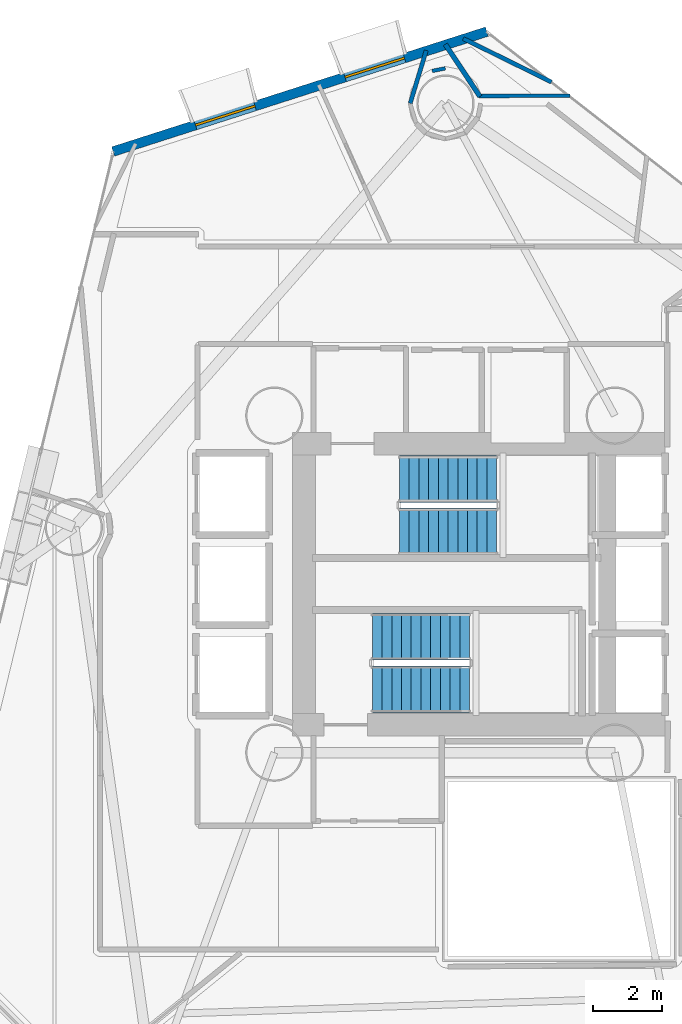
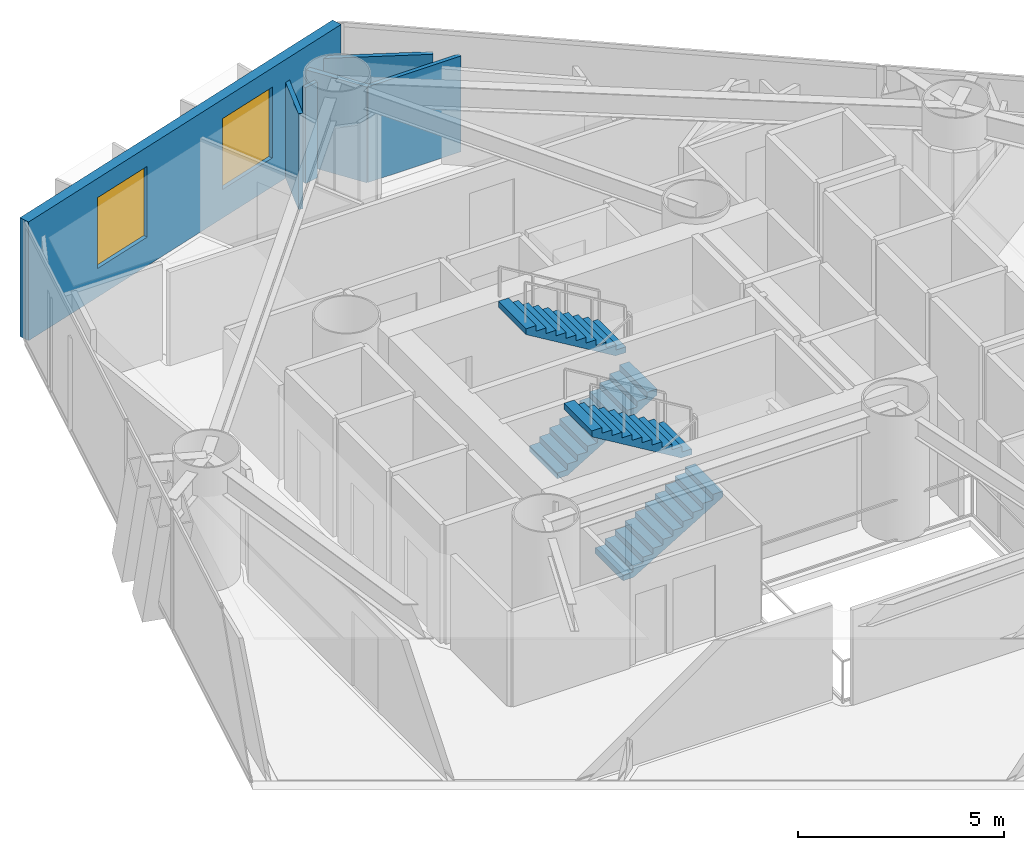
# One storey, part 19 of 23: 6 walls, 4 stair flights, 2 windows, 2 openings, 2 elements without a shape of their own.
"""IFC4 building model written with IfcOpenShell, lengths in metres."""

from ifc_helpers import new_model, si_unit, direction, frame, frame_2d, origin, place, context, subcontext, project, spatial, polyline, rectangle, outline, extrude, material, layer, layer_set, type_object, element, fill, aggregate, save


model = new_model("IFC4")

# Units and contexts
model_context = context("Model", 3, precision=1e-05, world=origin(), true_north=direction((0.0, 1.0)))
body_context = subcontext(model_context, "Body", "Model", "MODEL_VIEW")
ifc_project = project(units=[si_unit("LENGTHUNIT", "METRE"), si_unit("AREAUNIT", "SQUARE_METRE"), si_unit("VOLUMEUNIT", "CUBIC_METRE"), si_unit("PLANEANGLEUNIT", "RADIAN"), si_unit("MASSUNIT", "GRAM", prefix="KILO")], contexts=[model_context])

# Site, building, storey
site_placement = place(None, origin())
site = spatial("IfcSite", under=ifc_project, at=site_placement, CompositionType="ELEMENT")
building_placement = place(site_placement, origin())
building = spatial("IfcBuilding", under=site, at=building_placement, Name="Qianvela Tower", CompositionType="ELEMENT")
storey_placement = place(building_placement, frame((0.0, 0.0, 85.800048828125)))
storey = spatial("IfcBuildingStorey", under=building, at=storey_placement, Name="L21", CompositionType="ELEMENT", Elevation=85.800048828125)

# Wall, openings, windows
ifc_material_1 = material(Name="Terracotta Cladding on Concrete C40", Category="masonry")
ifc_layer_1 = layer(ifc_material_1, 0.280029296875)
ifc_layer_set_1 = layer_set([ifc_layer_1], Name="Terracotta Cladding on Concrete C40")
wall_type_1 = type_object("IfcWallType", Name="TERRACOTTA-WALL-280", PredefinedType="SOLIDWALL", material=ifc_layer_set_1)
wall_1_placement = place(storey_placement, frame((34.716064453125, 44.6015625, 0.0), z_axis=(0.0, 0.0, 1.0), x_axis=(-0.952201794682, -0.305469707507, 0.0)))
wall_1 = element("IfcWall", 1, at=wall_1_placement, inside=storey, type_object=wall_type_1, Name="L21 Terracotta Chamfer Facet Wall 3", PredefinedType="SOLIDWALL", context=body_context, shape_type="SweptSolid", body=[
    extrude(rectangle(XDim=11.29541015625, YDim=0.280029296875, at=frame_2d((5.647705078125, 0.0))), origin(), (0.0, 0.0, 1.0), 3.52001953125),
])
opening_1_placement = place(wall_1_placement, frame((2.48876953125, 0.0, 0.85009765625)))
opening_1 = element("IfcOpeningElement", 2, at=opening_1_placement, cuts=wall_1, Name="Opening W-01", PredefinedType="OPENING", context=body_context, shape_type="SweptSolid", body=[
    extrude(rectangle(XDim=1.800048828125, YDim=2.10009765625, at=frame_2d((0.89990234375, 1.050048828125))), frame((0.0, 0.14990234375, 0.0), z_axis=(0.0, -1.0, 0.0), x_axis=(1.0, 0.0, 0.0)), (0.0, 0.0, 1.0), 0.300048828125),
])
opening_2_placement = place(wall_1_placement, frame((7.0068359375, 0.0, 0.85009765625)))
opening_2 = element("IfcOpeningElement", 3, at=opening_2_placement, cuts=wall_1, Name="Opening W-01", PredefinedType="OPENING", context=body_context, shape_type="SweptSolid", body=[
    extrude(rectangle(XDim=1.800048828125, YDim=2.10009765625, at=frame_2d((0.89990234375, 1.050048828125))), frame((0.0, 0.14990234375, 0.0), z_axis=(0.0, -1.0, 0.0), x_axis=(1.0, 0.0, 0.0)), (0.0, 0.0, 1.0), 0.300048828125),
])
ifc_material_2 = material(Name="Thermally Broken Aluminium and Low-E Glass", Category="aluminium")
window_type = type_object("IfcWindowType", Name="WIN-TC-1800x2100", PartitioningType="DOUBLE_PANEL_VERTICAL", PredefinedType="WINDOW", material=ifc_material_2)
window_1_placement = place(opening_1_placement, origin())
window_1 = element("IfcWindow", 4, at=window_1_placement, inside=storey, type_object=window_type, Name="L21 Chamfer Facet Window 3.1", OverallHeight=2.10009765625, OverallWidth=1.800048828125, PartitioningType="SINGLE_PANEL", PredefinedType="WINDOW", context=body_context, shape_type="SweptSolid", body=[
    extrude(rectangle(XDim=1.800048828125, YDim=2.10009765625, at=frame_2d((0.89990234375, 1.050048828125))), frame((0.0, 0.030029296875, 0.0), z_axis=(0.0, -1.0, 0.0), x_axis=(1.0, 0.0, 0.0)), (0.0, 0.0, 1.0), 0.06005859375),
])
fill(opening_1, window_1)
window_2_placement = place(opening_2_placement, origin())
window_2 = element("IfcWindow", 5, at=window_2_placement, inside=storey, type_object=window_type, Name="L21 Chamfer Facet Window 3.2", OverallHeight=2.10009765625, OverallWidth=1.800048828125, PartitioningType="SINGLE_PANEL", PredefinedType="WINDOW", context=body_context, shape_type="SweptSolid", body=[
    extrude(rectangle(XDim=1.800048828125, YDim=2.10009765625, at=frame_2d((0.89990234375, 1.050048828125))), frame((0.0, 0.030029296875, 0.0), z_axis=(0.0, -1.0, 0.0), x_axis=(1.0, 0.0, 0.0)), (0.0, 0.0, 1.0), 0.06005859375),
])
fill(opening_2, window_2)

# Walls
ifc_material_3 = material(Name="Lightweight Gypsum Room Partition")
ifc_layer_2 = layer(ifc_material_3, 0.10498046875)
ifc_layer_set_2 = layer_set([ifc_layer_2], Name="Lightweight Gypsum Room Partition")
wall_type_2 = type_object("IfcWallType", Name="WT-PART-105", PredefinedType="PARTITIONING", material=ifc_layer_set_2)
wall_2_placement = place(storey_placement, frame((37.103515625, 42.755126953125, 0.0), z_axis=(0.0, 0.0, 1.0), x_axis=(-0.999996813354, -0.002524536135, 0.0)))
element("IfcWall", 6, at=wall_2_placement, inside=storey, type_object=wall_type_2, Name="L21 Partition 97", PredefinedType="PARTITIONING", context=body_context, shape_type="SweptSolid", body=[
    extrude(rectangle(XDim=2.611083984375, YDim=0.10498046875, at=frame_2d((1.3056640625, 0.0))), origin(), (0.0, 0.0, 1.0), 2.83984375),
])
wall_3_placement = place(storey_placement, frame((33.52001953125, 43.54443359375, 0.0), z_axis=(0.0, 0.0, 1.0), x_axis=(-0.980799947725, -0.195016569917, 0.0)))
element("IfcWall", 7, at=wall_3_placement, inside=storey, type_object=wall_type_2, Name="L21 Partition 100", PredefinedType="PARTITIONING", context=body_context, shape_type="SweptSolid", body=[
    extrude(rectangle(XDim=0.38427734375, YDim=0.10498046875, at=frame_2d((0.192138671875, 0.0))), origin(), (0.0, 0.0, 1.0), 2.83984375),
])
ifc_material_4 = material(Name="Insulated Gypsum Stud Partition")
ifc_layer_3 = layer(ifc_material_4, 0.1201171875)
ifc_layer_set_3 = layer_set([ifc_layer_3], Name="Insulated Gypsum Stud Partition")
wall_type_3 = type_object("IfcWallType", Name="WT-PART-120", PredefinedType="PARTITIONING", material=ifc_layer_set_3)
wall_4_placement = place(storey_placement, frame((34.03662109375, 44.40087890625, 0.0), z_axis=(0.0, 0.0, 1.0), x_axis=(0.897239578462, -0.441544039526, 0.0)))
element("IfcWall", 8, at=wall_4_placement, inside=storey, type_object=wall_type_3, Name="L21 Partition 96", PredefinedType="PARTITIONING", context=body_context, shape_type="SweptSolid", body=[
    extrude(rectangle(XDim=2.829345703125, YDim=0.1201171875, at=frame_2d((1.41455078125, 0.0))), origin(), (0.0, 0.0, 1.0), 2.83984375),
])
wall_5_placement = place(storey_placement, frame((32.972900390625, 44.059814453125, 0.0), z_axis=(0.0, 0.0, 1.0), x_axis=(-0.29031843557, -0.956930094609, 0.0)))
element("IfcWall", 9, at=wall_5_placement, inside=storey, type_object=wall_type_3, Name="L21 Partition 102", PredefinedType="PARTITIONING", context=body_context, shape_type="SweptSolid", body=[
    extrude(rectangle(XDim=1.59033203125, YDim=0.1201171875, at=frame_2d((0.795166015625, 0.0))), origin(), (0.0, 0.0, 1.0), 2.83984375),
])
ifc_material_5 = material(Name="Acoustic Double Gypsum Stud Partition")
ifc_layer_4 = layer(ifc_material_5, 0.139892578125)
ifc_layer_set_4 = layer_set([ifc_layer_4], Name="Acoustic Double Gypsum Stud Partition")
wall_type_4 = type_object("IfcWallType", Name="WT-ROOM-140", PredefinedType="PARTITIONING", material=ifc_layer_set_4)
wall_6_placement = place(storey_placement, frame((34.518310546875, 42.734619140625, 0.0), z_axis=(0.0, 0.0, 1.0), x_axis=(-0.553607257013, 0.832777884542, 0.0)))
element("IfcWall", 10, at=wall_6_placement, inside=storey, type_object=wall_type_4, Name="L21 Partition 98", PredefinedType="PARTITIONING", context=body_context, shape_type="SweptSolid", body=[
    extrude(rectangle(XDim=1.804931640625, YDim=0.139892578125, at=frame_2d((0.90234375, 0.0))), origin(), (0.0, 0.0, 1.0), 2.83984375),
])

# Stair, stair flights
ifc_material_6 = material(Name="Concrete C40", Category="concrete")
stair_type = type_object("IfcStairType", Name="ST-DOGLEG-1350-R168-N22", PredefinedType="HALF_TURN_STAIR", material=ifc_material_6)
stair_1_placement = place(storey_placement, origin())
stair_1 = element("IfcStair", 11, at=stair_1_placement, inside=storey, type_object=stair_type, Name="L21 Smoke-Proof Core Stair ST-1", PredefinedType="HALF_TURN_STAIR")
ifc_material_7 = material(Name="Concrete C40", Category="concrete")
stair_flight_type = type_object("IfcStairFlightType", Name="STF-STRAIGHT-R168-P11", PredefinedType="STRAIGHT", material=ifc_material_7)
stair_flight_1_placement = place(storey_placement, frame((32.199951171875, 30.215087890625, 0.0), z_axis=(0.0, 0.0, 1.0), x_axis=(1.0, 0.0, 0.0)))
stair_flight_1 = element("IfcStairFlight", 12, at=stair_flight_1_placement, type_object=stair_flight_type, Name="ST-1 flight 1", NumberOfRisers=11, NumberOfTreads=10, PredefinedType="STRAIGHT", RiserHeight=0.168181818, TreadLength=0.28, context=body_context, shape_type="SweptSolid", body=[
    extrude(outline(polyline([(0.0, 0.0), (0.0, 0.168212890625), (0.280029296875, 0.168212890625), (0.280029296875, 0.33642578125), (0.56005859375, 0.33642578125), (0.56005859375, 0.504638671875), (0.840087890625, 0.504638671875), (0.840087890625, 0.672607421875), (1.1201171875, 0.672607421875), (1.1201171875, 0.8408203125), (1.39990234375, 0.8408203125), (1.39990234375, 1.009033203125), (1.679931640625, 1.009033203125), (1.679931640625, 1.17724609375), (1.9599609375, 1.17724609375), (1.9599609375, 1.345458984375), (2.239990234375, 1.345458984375), (2.239990234375, 1.513671875), (2.52001953125, 1.513671875), (2.52001953125, 1.681884765625), (2.800048828125, 1.681884765625), (2.800048828125, 1.85009765625), (2.800048828125, 1.5068359375), (0.291015625, 0.0), (0.0, 0.0)])), frame((0.0, 0.675048828125, 0.0), z_axis=(0.0, -1.0, 0.0), x_axis=(1.0, 0.0, 0.0)), (0.0, 0.0, 1.0), 1.35009765625),
])
stair_flight_2_placement = place(storey_placement, frame((35.0, 31.72509765625, 1.849853515625), z_axis=(0.0, 0.0, 1.0), x_axis=(-1.0, 0.0, 0.0)))
stair_flight_2 = element("IfcStairFlight", 13, at=stair_flight_2_placement, type_object=stair_flight_type, Name="ST-1 flight 2", NumberOfRisers=11, NumberOfTreads=10, PredefinedType="STRAIGHT", RiserHeight=0.168181818, TreadLength=0.28, context=body_context, shape_type="SweptSolid", body=[
    extrude(outline(polyline([(0.0, 0.0), (0.0, 0.168212890625), (0.280029296875, 0.168212890625), (0.280029296875, 0.33642578125), (0.56005859375, 0.33642578125), (0.56005859375, 0.504638671875), (0.840087890625, 0.504638671875), (0.840087890625, 0.672607421875), (1.1201171875, 0.672607421875), (1.1201171875, 0.8408203125), (1.39990234375, 0.8408203125), (1.39990234375, 1.009033203125), (1.679931640625, 1.009033203125), (1.679931640625, 1.17724609375), (1.9599609375, 1.17724609375), (1.9599609375, 1.345458984375), (2.239990234375, 1.345458984375), (2.239990234375, 1.513671875), (2.52001953125, 1.513671875), (2.52001953125, 1.681884765625), (2.800048828125, 1.681884765625), (2.800048828125, 1.85009765625), (2.800048828125, 1.5068359375), (0.291015625, 0.0), (0.0, 0.0)])), frame((0.0, 0.675048828125, 0.0), z_axis=(0.0, -1.0, 0.0), x_axis=(1.0, 0.0, 0.0)), (0.0, 0.0, 1.0), 1.35009765625),
])
aggregate(stair_1, [stair_flight_1, stair_flight_2])

stair_2_placement = place(storey_placement, origin())
stair_2 = element("IfcStair", 14, at=stair_2_placement, inside=storey, type_object=stair_type, Name="L21 Smoke-Proof Core Stair ST-2", PredefinedType="HALF_TURN_STAIR")
stair_flight_3_placement = place(storey_placement, frame((31.419921875, 25.675048828125, 0.0), z_axis=(0.0, 0.0, 1.0), x_axis=(1.0, 0.0, 0.0)))
stair_flight_3 = element("IfcStairFlight", 15, at=stair_flight_3_placement, type_object=stair_flight_type, Name="ST-2 flight 1", NumberOfRisers=11, NumberOfTreads=10, PredefinedType="STRAIGHT", RiserHeight=0.168181818, TreadLength=0.28, context=body_context, shape_type="SweptSolid", body=[
    extrude(outline(polyline([(0.0, 0.0), (0.0, 0.168212890625), (0.280029296875, 0.168212890625), (0.280029296875, 0.33642578125), (0.56005859375, 0.33642578125), (0.56005859375, 0.504638671875), (0.840087890625, 0.504638671875), (0.840087890625, 0.672607421875), (1.1201171875, 0.672607421875), (1.1201171875, 0.8408203125), (1.39990234375, 0.8408203125), (1.39990234375, 1.009033203125), (1.679931640625, 1.009033203125), (1.679931640625, 1.17724609375), (1.9599609375, 1.17724609375), (1.9599609375, 1.345458984375), (2.239990234375, 1.345458984375), (2.239990234375, 1.513671875), (2.52001953125, 1.513671875), (2.52001953125, 1.681884765625), (2.800048828125, 1.681884765625), (2.800048828125, 1.85009765625), (2.800048828125, 1.5068359375), (0.291015625, 0.0), (0.0, 0.0)])), frame((0.0, 0.675048828125, 0.0), z_axis=(0.0, -1.0, 0.0), x_axis=(1.0, 0.0, 0.0)), (0.0, 0.0, 1.0), 1.35009765625),
])
stair_flight_4_placement = place(storey_placement, frame((34.219970703125, 27.18505859375, 1.849853515625), z_axis=(0.0, 0.0, 1.0), x_axis=(-1.0, 0.0, 0.0)))
stair_flight_4 = element("IfcStairFlight", 16, at=stair_flight_4_placement, type_object=stair_flight_type, Name="ST-2 flight 2", NumberOfRisers=11, NumberOfTreads=10, PredefinedType="STRAIGHT", RiserHeight=0.168181818, TreadLength=0.28, context=body_context, shape_type="SweptSolid", body=[
    extrude(outline(polyline([(0.0, 0.0), (0.0, 0.168212890625), (0.280029296875, 0.168212890625), (0.280029296875, 0.33642578125), (0.56005859375, 0.33642578125), (0.56005859375, 0.504638671875), (0.840087890625, 0.504638671875), (0.840087890625, 0.672607421875), (1.1201171875, 0.672607421875), (1.1201171875, 0.8408203125), (1.39990234375, 0.8408203125), (1.39990234375, 1.009033203125), (1.679931640625, 1.009033203125), (1.679931640625, 1.17724609375), (1.9599609375, 1.17724609375), (1.9599609375, 1.345458984375), (2.239990234375, 1.345458984375), (2.239990234375, 1.513671875), (2.52001953125, 1.513671875), (2.52001953125, 1.681884765625), (2.800048828125, 1.681884765625), (2.800048828125, 1.85009765625), (2.800048828125, 1.5068359375), (0.291015625, 0.0), (0.0, 0.0)])), frame((0.0, 0.675048828125, 0.0), z_axis=(0.0, -1.0, 0.0), x_axis=(1.0, 0.0, 0.0)), (0.0, 0.0, 1.0), 1.35009765625),
])
aggregate(stair_2, [stair_flight_3, stair_flight_4])

save(model, "model.ifc")
